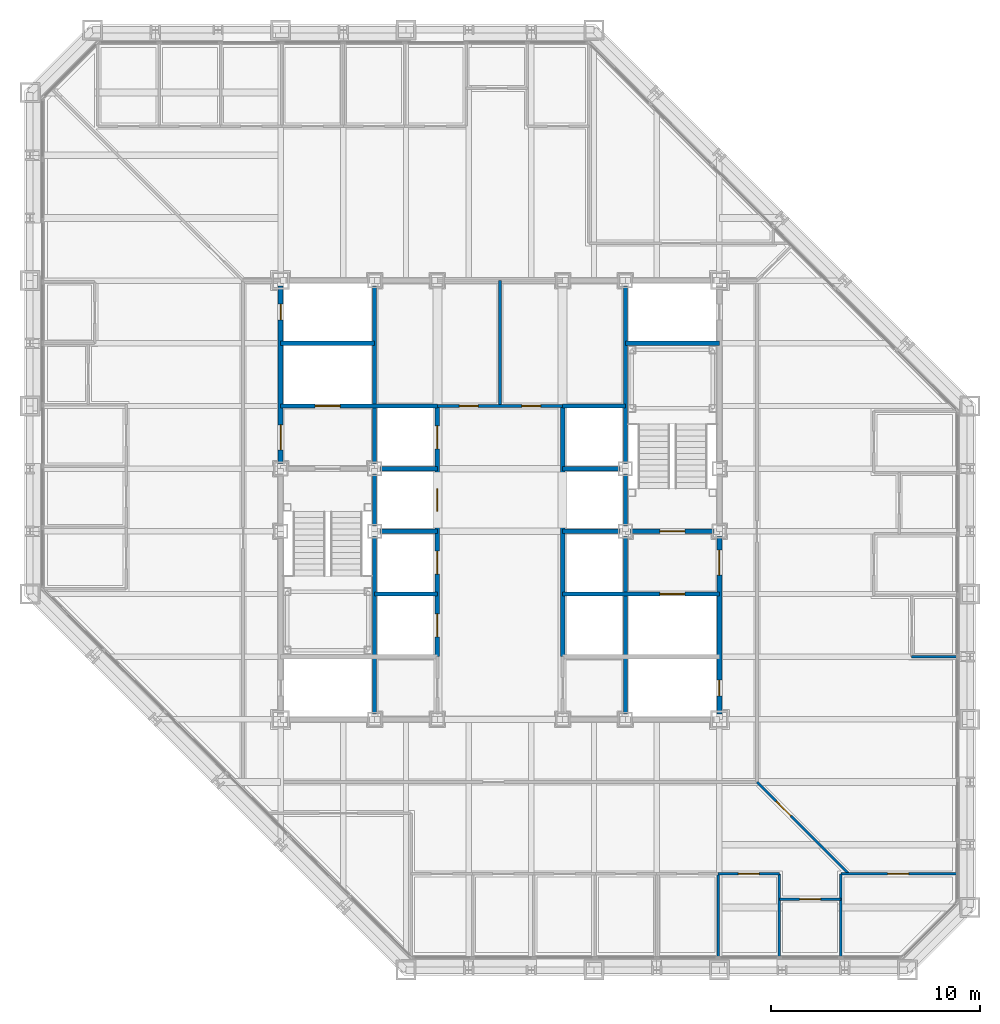
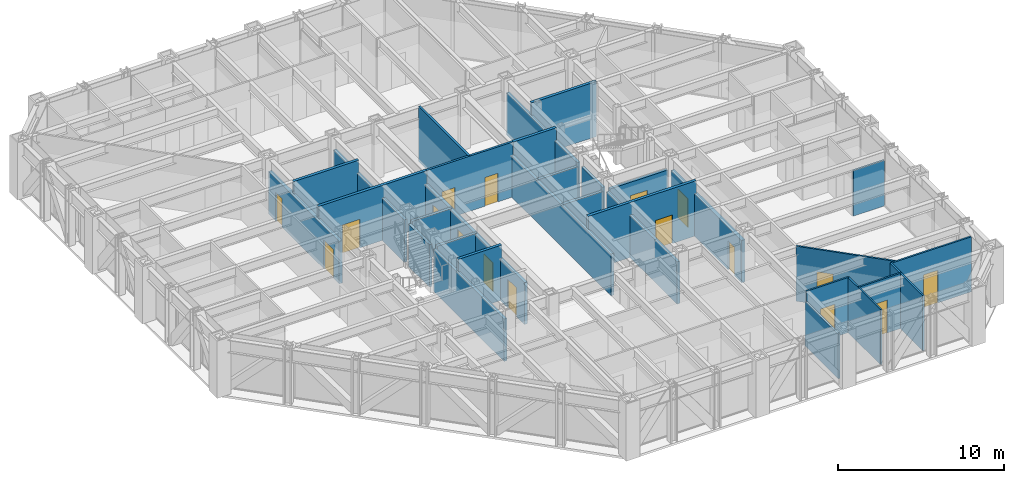
# One storey, part 11 of 17: 31 walls, 17 doors, 17 openings.
"""IFC4 building model written with IfcOpenShell, lengths in metres."""

import ifcopenshell
import ifcopenshell.guid

model = None  # the IFC model being written
_history = None  # IfcOwnerHistory: only IFC2X3 demands one
_inside = {}  # id of a spatial element -> (the spatial element, [elements in it])
_under = {}  # id of a project, library or spatial element -> (it, [spatial elements below it])
_declared = {}  # id of a project -> (the project, [libraries it declares])
_typed = {}  # id of a type object -> (the type object, [elements of that type])
_made_of = {}  # id of a material, layer set ... -> (it, [elements and type objects made of it])


def new_model(schema):
    """Start an empty IFC model of exactly this schema.

    Asked for "IFC4X3", IfcOpenShell would pick the latest addendum, in which some entities
    have other attributes; the version numbers below select the first issue.
    IFC2X3 requires an IfcOwnerHistory on every rooted entity: one is made here for all.
    """
    global model, _history
    if schema == "IFC4X3":
        model = ifcopenshell.file(schema_version=(4, 3, 0, 0))
    else:
        model = ifcopenshell.file(schema=schema)
    _inside.clear()
    _under.clear()
    _declared.clear()
    _typed.clear()
    _made_of.clear()
    _history = None
    if model.schema == "IFC2X3":
        org = make("IfcOrganization", Name="unknown")
        user = make(
            "IfcPersonAndOrganization",
            ThePerson=make("IfcPerson", FamilyName="unknown"),
            TheOrganization=org,
        )
        app = make(
            "IfcApplication",
            ApplicationDeveloper=org,
            Version="unknown",
            ApplicationFullName="unknown",
            ApplicationIdentifier="unknown",
        )
        _history = make(
            "IfcOwnerHistory",
            OwningUser=user,
            OwningApplication=app,
            ChangeAction="ADDED",
            CreationDate=0,
        )
    return model


def make(cls, **values):
    """One entity of the class cls with the attributes given. An attribute that is None is left unset."""
    return model.create_entity(
        cls, **{name: value for name, value in values.items() if value is not None}
    )


def rooted(cls, **values):
    """An entity with a GlobalId (a new one), such as an element, a storey or a relation."""
    return make(cls, GlobalId=ifcopenshell.guid.new(), OwnerHistory=_history, **values)


def si_unit(unit_type, name, prefix=None):
    """IfcSIUnit, for example si_unit("LENGTHUNIT", "METRE", prefix="MILLI")."""
    return make("IfcSIUnit", UnitType=unit_type, Prefix=prefix, Name=name)


def assignment(units):
    """IfcUnitAssignment: the units of a project."""
    return None if units is None else make("IfcUnitAssignment", Units=units)


def point(xyz):
    """IfcCartesianPoint."""
    return None if xyz is None else make("IfcCartesianPoint", Coordinates=xyz)


def direction(xyz):
    """IfcDirection."""
    return None if xyz is None else make("IfcDirection", DirectionRatios=xyz)


def frame(location, z_axis=None, x_axis=None):
    """IfcAxis2Placement3D, a coordinate frame: its origin and axes. An axis left out is left unset."""
    return make(
        "IfcAxis2Placement3D",
        Location=point(location),
        Axis=direction(z_axis),
        RefDirection=direction(x_axis),
    )


def frame_2d(location, x_axis=None):
    """IfcAxis2Placement2D, a coordinate frame in the plane: its origin and x axis."""
    return make(
        "IfcAxis2Placement2D", Location=point(location), RefDirection=direction(x_axis)
    )


def origin():
    """The frame at (0, 0, 0) with its axes left unset."""
    return frame((0.0, 0.0, 0.0))


def place(relative_to, where):
    """IfcLocalPlacement: puts the frame where relative to a parent placement (None: the world)."""
    return make(
        "IfcLocalPlacement", PlacementRelTo=relative_to, RelativePlacement=where
    )


def context(
    kind, dimensions, precision=None, world=None, true_north=None, identifier=None
):
    """IfcGeometricRepresentationContext, for example the 3D "Model" context."""
    return make(
        "IfcGeometricRepresentationContext",
        ContextIdentifier=identifier,
        ContextType=kind,
        CoordinateSpaceDimension=dimensions,
        Precision=precision,
        WorldCoordinateSystem=world,
        TrueNorth=true_north,
    )


def subcontext(parent, identifier, kind, view, scale=None):
    """IfcGeometricRepresentationSubContext, for example "Body" below "Model"."""
    return make(
        "IfcGeometricRepresentationSubContext",
        ContextIdentifier=identifier,
        ContextType=kind,
        ParentContext=parent,
        TargetScale=scale,
        TargetView=view,
    )


def project(units=None, contexts=None):
    """IfcProject with its units and contexts."""
    return rooted(
        "IfcProject",
        Name="project",
        RepresentationContexts=contexts,
        UnitsInContext=assignment(units),
    )


def spatial(cls, under=None, at=None, **own):
    """A site, building, storey or space (cls), placed at a placement, below another one or the project."""
    s = rooted(cls, ObjectPlacement=at, **own)
    if under is not None:
        _under.setdefault(under.id(), (under, []))[1].append(s)
    return s


def profile(cls, at=None, kind="AREA", **sizes):
    """A parametric profile (cls). Its sizes go by their IFC names, for example OverallWidth=200.0."""
    return make(cls, ProfileType=kind, Position=at, **sizes)


def rectangle(**sizes):
    """IfcRectangleProfileDef."""
    return profile("IfcRectangleProfileDef", **sizes)


def extrude(swept, where, along, depth):
    """IfcExtrudedAreaSolid: the profile swept, set in the frame where, extruded along a direction by depth."""
    return make(
        "IfcExtrudedAreaSolid",
        SweptArea=swept,
        Position=where,
        ExtrudedDirection=direction(along),
        Depth=depth,
    )


def shape(context_of_items, identifier, shape_type, items):
    """IfcShapeRepresentation: the items that make up one representation, for example the "Body"."""
    return make(
        "IfcShapeRepresentation",
        ContextOfItems=context_of_items,
        RepresentationIdentifier=identifier,
        RepresentationType=shape_type,
        Items=items,
    )


def material(Name=None, Category=None):
    """IfcMaterial."""
    return make("IfcMaterial", Name=Name, Category=Category)


def layer(
    of_material, thickness, ventilated=None, Name=None, Category=None, Priority=None
):
    """IfcMaterialLayer: one layer of a wall or slab, of a material (None: an air gap)."""
    return make(
        "IfcMaterialLayer",
        Material=of_material,
        LayerThickness=thickness,
        IsVentilated=ventilated,
        Name=Name,
        Category=Category,
        Priority=Priority,
    )


def layer_set(layers, Name=None):
    """IfcMaterialLayerSet."""
    return make("IfcMaterialLayerSet", MaterialLayers=layers, LayerSetName=Name)


def made_of(thing, what):
    """Note that an element or type object is made of a material, layer set ...; save() writes the relation."""
    if what is not None:
        _made_of.setdefault(what.id(), (what, []))[1].append(thing)
    return thing


def type_object(cls, material=None, **own):
    """A type object (cls), such as IfcWallType, which elements share."""
    return made_of(rooted(cls, **own), material)


def element(
    cls,
    number,
    at=None,
    inside=None,
    cuts=None,
    type_object=None,
    material=None,
    context=None,
    identifier="Body",
    shape_type=None,
    held_by="IfcProductDefinitionShape",
    body=None,
    shapes=None,
    **own,
):
    """One element of the class cls, such as IfcWall. Its Tag is "e" and its number.

    at: its placement. inside: the storey or other place that contains it. cuts: it is an
    opening in that element (IfcRelVoidsElement). A single representation is given by context,
    identifier, shape_type and body (its items); several are given by shapes. held_by: the class
    of the entity that holds the representations. save() writes the other relations.
    """
    e = rooted(cls, Tag="e%d" % number, ObjectPlacement=at, **own)
    if body is not None:
        shapes = [shape(context, identifier, shape_type, body)]
    if shapes is not None:
        e.Representation = make(held_by, Representations=shapes)
    if inside is not None:
        _inside.setdefault(inside.id(), (inside, []))[1].append(e)
    if cuts is not None:
        rooted(
            "IfcRelVoidsElement", RelatingBuildingElement=cuts, RelatedOpeningElement=e
        )
    if type_object is not None:
        _typed.setdefault(type_object.id(), (type_object, []))[1].append(e)
    return made_of(e, material)


def fill(opening, filler):
    """IfcRelFillsElement: the door or window that sits in an opening."""
    return rooted(
        "IfcRelFillsElement",
        RelatingOpeningElement=opening,
        RelatedBuildingElement=filler,
    )


def aggregate(whole, parts):
    """IfcRelAggregates: a whole, such as a stair, and the parts it consists of."""
    return rooted("IfcRelAggregates", RelatingObject=whole, RelatedObjects=parts)


def save(model, path):
    """Write the relations noted so far, then the file.

    IfcRelAggregates (storeys below a building ...), IfcRelContainedInSpatialStructure (elements
    in a storey), IfcRelDefinesByType, IfcRelAssociatesMaterial and IfcRelDeclares: one each for
    every whole, place, type object, material and project.
    """
    for whole, parts in _under.values():
        aggregate(whole, parts)
    for where, things in _inside.values():
        rooted(
            "IfcRelContainedInSpatialStructure",
            RelatedElements=things,
            RelatingStructure=where,
        )
    for kind, things in _typed.values():
        rooted("IfcRelDefinesByType", RelatedObjects=things, RelatingType=kind)
    for what, things in _made_of.values():
        rooted("IfcRelAssociatesMaterial", RelatedObjects=things, RelatingMaterial=what)
    for by, libraries in _declared.values():
        rooted("IfcRelDeclares", RelatingContext=by, RelatedDefinitions=libraries)
    model.write(path)


model = new_model("IFC4")

# Units and contexts
model_context = context("Model", 3, precision=1e-05, world=origin(), true_north=direction((0.0, 1.0)))
body_context = subcontext(model_context, "Body", "Model", "MODEL_VIEW")
ifc_project = project(units=[si_unit("LENGTHUNIT", "METRE"), si_unit("AREAUNIT", "SQUARE_METRE"), si_unit("VOLUMEUNIT", "CUBIC_METRE"), si_unit("PLANEANGLEUNIT", "RADIAN"), si_unit("MASSUNIT", "GRAM", prefix="KILO")], contexts=[model_context])

# Site, building, storey
site_placement = place(None, origin())
site = spatial("IfcSite", under=ifc_project, at=site_placement, CompositionType="ELEMENT")
building_placement = place(site_placement, origin())
building = spatial("IfcBuilding", under=site, at=building_placement, Name="Chuquiago Exchange Tower", CompositionType="ELEMENT")
storey_placement = place(building_placement, frame((0.0, 0.0, 132.0)))
storey = spatial("IfcBuildingStorey", under=building, at=storey_placement, Name="L28", CompositionType="ELEMENT", Elevation=132.0)

# Wall, openings, doors
ifc_material_1 = material(Name="Concrete masonry, fully grouted", Category="masonry")
ifc_layer_1 = layer(ifc_material_1, 0.25)
ifc_layer_set_1 = layer_set([ifc_layer_1], Name="W1 core wall 250")
wall_type_1 = type_object("IfcWallType", Name="W1 core wall 250", PredefinedType="SOLIDWALL", material=ifc_layer_set_1)
wall_1_placement = place(storey_placement, frame((12.0, 24.25, 0.0), z_axis=(0.0, 0.0, 1.0), x_axis=(0.0, 1.0, 0.0)))
wall_1 = element("IfcWall", 1, at=wall_1_placement, inside=storey, type_object=wall_type_1, Name="CW-L28-00-2", PredefinedType="SOLIDWALL", context=body_context, shape_type="SweptSolid", body=[
    extrude(rectangle(XDim=8.5, YDim=0.25, at=frame_2d((4.25, 0.0))), origin(), (0.0, 0.0, 1.0), 3.11279296875),
])
opening_1_placement = place(wall_1_placement, frame((0.64990234375, 0.0, 0.0)))
opening_1 = element("IfcOpeningElement", 2, at=opening_1_placement, cuts=wall_1, Name="Opening L28-002", PredefinedType="OPENING", context=body_context, shape_type="SweptSolid", body=[
    extrude(rectangle(XDim=1.199951171875, YDim=2.10009765625, at=frame_2d((0.60009765625, 1.050048828125))), frame((0.0, 0.135009765625, 0.0), z_axis=(0.0, -1.0, 0.0), x_axis=(1.0, 0.0, 0.0)), (0.0, 0.0, 1.0), 0.27001953125),
])
opening_2_placement = place(wall_1_placement, frame((6.875, 0.0, 0.0)))
opening_2 = element("IfcOpeningElement", 3, at=opening_2_placement, cuts=wall_1, Name="Opening L28-008", PredefinedType="OPENING", context=body_context, shape_type="SweptSolid", body=[
    extrude(rectangle(XDim=0.75, YDim=2.10009765625, at=frame_2d((0.375, 1.050048828125))), frame((0.0, 0.135009765625, 0.0), z_axis=(0.0, -1.0, 0.0), x_axis=(1.0, 0.0, 0.0)), (0.0, 0.0, 1.0), 0.27001953125),
])
ifc_material_2 = material(Name="Steel door, painted", Category="steel")
door_type_1 = type_object("IfcDoorType", Name="D5 firefighting lobby door 1200x2100", OperationType="SINGLE_SWING_LEFT", PredefinedType="DOOR", material=ifc_material_2)
door_1_placement = place(opening_1_placement, frame((1.199951171875, 0.0, 0.0), z_axis=(0.0, 0.0, 1.0), x_axis=(-1.0, 0.0, 0.0)))
door_1 = element("IfcDoor", 4, at=door_1_placement, inside=storey, type_object=door_type_1, Name="Firefighting lobby 1 door", OperationType="SINGLE_SWING_RIGHT", OverallHeight=2.10009765625, OverallWidth=1.199951171875, PredefinedType="DOOR", context=body_context, shape_type="SweptSolid", body=[
    extrude(rectangle(XDim=1.199951171875, YDim=2.10009765625, at=frame_2d((0.60009765625, 1.050048828125))), frame((0.0, 0.02490234375, 0.0), z_axis=(0.0, -1.0, 0.0), x_axis=(1.0, 0.0, 0.0)), (0.0, 0.0, 1.0), 0.050048828125),
])
fill(opening_1, door_1)
ifc_material_3 = material(Name="Steel door, painted", Category="steel")
door_type_2 = type_object("IfcDoorType", Name="D6 riser access door 750x2100", OperationType="SINGLE_SWING_LEFT", PredefinedType="DOOR", material=ifc_material_3)
door_2_placement = place(opening_2_placement, frame((0.75, 0.0, 0.0), z_axis=(0.0, 0.0, 1.0), x_axis=(-1.0, 0.0, 0.0)))
door_2 = element("IfcDoor", 5, at=door_2_placement, inside=storey, type_object=door_type_2, Name="Riser RW2 door", OperationType="SINGLE_SWING_LEFT", OverallHeight=2.10009765625, OverallWidth=0.75, PredefinedType="DOOR", context=body_context, shape_type="SweptSolid", body=[
    extrude(rectangle(XDim=0.75, YDim=2.10009765625, at=frame_2d((0.375, 1.050048828125))), frame((0.0, 0.02490234375, 0.0), z_axis=(0.0, -1.0, 0.0), x_axis=(1.0, 0.0, 0.0)), (0.0, 0.0, 1.0), 0.050048828125),
])
fill(opening_2, door_2)

wall_2_placement = place(storey_placement, frame((33.0, 12.25, 0.0), z_axis=(0.0, 0.0, 1.0), x_axis=(0.0, 1.0, 0.0)))
wall_2 = element("IfcWall", 6, at=wall_2_placement, inside=storey, type_object=wall_type_1, Name="CW-L28-25-0", PredefinedType="SOLIDWALL", context=body_context, shape_type="SweptSolid", body=[
    extrude(rectangle(XDim=8.5, YDim=0.25, at=frame_2d((4.25, 0.0))), origin(), (0.0, 0.0, 1.0), 3.11279296875),
])
opening_3_placement = place(wall_2_placement, frame((6.64990234375, 0.0, 0.0)))
opening_3 = element("IfcOpeningElement", 7, at=opening_3_placement, cuts=wall_2, Name="Opening L28-004", PredefinedType="OPENING", context=body_context, shape_type="SweptSolid", body=[
    extrude(rectangle(XDim=1.199951171875, YDim=2.10009765625, at=frame_2d((0.60009765625, 1.050048828125))), frame((0.0, 0.135009765625, 0.0), z_axis=(0.0, -1.0, 0.0), x_axis=(1.0, 0.0, 0.0)), (0.0, 0.0, 1.0), 0.27001953125),
])
opening_4_placement = place(wall_2_placement, frame((0.875, 0.0, 0.0)))
opening_4 = element("IfcOpeningElement", 8, at=opening_4_placement, cuts=wall_2, Name="Opening L28-009", PredefinedType="OPENING", context=body_context, shape_type="SweptSolid", body=[
    extrude(rectangle(XDim=0.75, YDim=2.10009765625, at=frame_2d((0.375, 1.050048828125))), frame((0.0, 0.135009765625, 0.0), z_axis=(0.0, -1.0, 0.0), x_axis=(1.0, 0.0, 0.0)), (0.0, 0.0, 1.0), 0.27001953125),
])
door_3_placement = place(opening_3_placement, origin())
door_3 = element("IfcDoor", 9, at=door_3_placement, inside=storey, type_object=door_type_1, Name="Firefighting lobby 2 door", OperationType="SINGLE_SWING_RIGHT", OverallHeight=2.10009765625, OverallWidth=1.199951171875, PredefinedType="DOOR", context=body_context, shape_type="SweptSolid", body=[
    extrude(rectangle(XDim=1.199951171875, YDim=2.10009765625, at=frame_2d((0.60009765625, 1.050048828125))), frame((0.0, 0.02490234375, 0.0), z_axis=(0.0, -1.0, 0.0), x_axis=(1.0, 0.0, 0.0)), (0.0, 0.0, 1.0), 0.050048828125),
])
fill(opening_3, door_3)
door_4_placement = place(opening_4_placement, origin())
door_4 = element("IfcDoor", 10, at=door_4_placement, inside=storey, type_object=door_type_2, Name="Riser RE1 door", OperationType="SINGLE_SWING_LEFT", OverallHeight=2.10009765625, OverallWidth=0.75, PredefinedType="DOOR", context=body_context, shape_type="SweptSolid", body=[
    extrude(rectangle(XDim=0.75, YDim=2.10009765625, at=frame_2d((0.375, 1.050048828125))), frame((0.0, 0.02490234375, 0.0), z_axis=(0.0, -1.0, 0.0), x_axis=(1.0, 0.0, 0.0)), (0.0, 0.0, 1.0), 0.050048828125),
])
fill(opening_4, door_4)

# Walls
ifc_material_4 = material(Name="Concrete masonry, fully grouted", Category="masonry")
ifc_layer_2 = layer(ifc_material_4, 0.199951171875)
ifc_layer_set_2 = layer_set([ifc_layer_2], Name="W2 shaft wall 200")
wall_type_2 = type_object("IfcWallType", Name="W2 shaft wall 200", PredefinedType="SOLIDWALL", material=ifc_layer_set_2)
for number, where, z_axis, x_axis, name in (
    (11, (16.75, 24.0, 0.0), (0.0, 0.0, 1.0), (1.0, 0.0, 0.0), "CW-L28-05-1"),
    (12, (25.5, 24.0, 0.0), (0.0, 0.0, 1.0), (1.0, 0.0, 0.0), "CW-L28-06-0"),
):
    element("IfcWall", number, at=place(storey_placement, frame(where, z_axis=z_axis, x_axis=x_axis)), inside=storey, type_object=wall_type_2, Name=name, PredefinedType="SOLIDWALL", context=body_context, shape_type="SweptSolid", body=[
        extrude(rectangle(XDim=2.75, YDim=0.199951171875, at=frame_2d((1.375, 0.0))), origin(), (0.0, 0.0, 1.0), 3.090087890625),
    ])

# Wall, opening, door
wall_3_placement = place(storey_placement, frame((12.0, 27.0, 0.0), z_axis=(0.0, 0.0, 1.0), x_axis=(1.0, 0.0, 0.0)))
wall_3 = element("IfcWall", 13, at=wall_3_placement, inside=storey, type_object=wall_type_2, Name="CW-L28-07-0", PredefinedType="SOLIDWALL", context=body_context, shape_type="SweptSolid", body=[
    extrude(rectangle(XDim=7.5, YDim=0.199951171875, at=frame_2d((3.75, 0.0))), origin(), (0.0, 0.0, 1.0), 4.0400390625),
])
opening_5_placement = place(wall_3_placement, frame((1.64990234375, 0.0, 0.0)))
opening_5 = element("IfcOpeningElement", 14, at=opening_5_placement, cuts=wall_3, Name="Opening L28-005", PredefinedType="OPENING", context=body_context, shape_type="SweptSolid", body=[
    extrude(rectangle(XDim=1.199951171875, YDim=2.10009765625, at=frame_2d((0.60009765625, 1.050048828125))), frame((0.0, 0.10986328125, 0.0), z_axis=(0.0, -1.0, 0.0), x_axis=(1.0, 0.0, 0.0)), (0.0, 0.0, 1.0), 0.219970703125),
])
ifc_material_5 = material(Name="Stainless steel lift landing door", Category="steel")
door_type_3 = type_object("IfcDoorType", Name="LD2 firefighting lift landing door 1200x2100", OperationType="DOUBLE_DOOR_SLIDING", PredefinedType="DOOR", material=ifc_material_5)
door_5_placement = place(opening_5_placement, origin())
door_5 = element("IfcDoor", 15, at=door_5_placement, inside=storey, type_object=door_type_3, Name="Firefighting lift FL1 landing door", OperationType="DOUBLE_DOOR_SLIDING", OverallHeight=2.10009765625, OverallWidth=1.199951171875, PredefinedType="DOOR", context=body_context, shape_type="SweptSolid", body=[
    extrude(rectangle(XDim=1.199951171875, YDim=2.10009765625, at=frame_2d((0.60009765625, 1.050048828125))), frame((0.0, 0.02490234375, 0.0), z_axis=(0.0, -1.0, 0.0), x_axis=(1.0, 0.0, 0.0)), (0.0, 0.0, 1.0), 0.050048828125),
])
fill(opening_5, door_5)

# Walls
wall_4_placement = place(storey_placement, frame((25.5, 27.0, 0.0), z_axis=(0.0, 0.0, 1.0), x_axis=(1.0, 0.0, 0.0)))
element("IfcWall", 16, at=wall_4_placement, inside=storey, type_object=wall_type_2, Name="CW-L28-08-0", PredefinedType="SOLIDWALL", context=body_context, shape_type="SweptSolid", body=[
    extrude(rectangle(XDim=3.0, YDim=0.199951171875, at=frame_2d((1.5, 0.0))), origin(), (0.0, 0.0, 1.0), 4.0400390625),
])
for number, where, z_axis, x_axis, name in (
    (17, (12.0, 30.0, 0.0), (0.0, 0.0, 1.0), (1.0, 0.0, 0.0), "CW-L28-09-0"),
    (18, (28.5, 30.0, 0.0), (0.0, 0.0, 1.0), (1.0, 0.0, 0.0), "CW-L28-10-0"),
):
    element("IfcWall", number, at=place(storey_placement, frame(where, z_axis=z_axis, x_axis=x_axis)), inside=storey, type_object=wall_type_2, Name=name, PredefinedType="SOLIDWALL", context=body_context, shape_type="SweptSolid", body=[
        extrude(rectangle(XDim=4.5, YDim=0.199951171875, at=frame_2d((2.25, 0.0))), origin(), (0.0, 0.0, 1.0), 4.0400390625),
    ])
wall_5_placement = place(storey_placement, frame((16.5, 12.25, 0.0), z_axis=(0.0, 0.0, 1.0), x_axis=(0.0, 1.0, 0.0)))
element("IfcWall", 19, at=wall_5_placement, inside=storey, type_object=wall_type_2, Name="CW-L28-13-0", PredefinedType="SOLIDWALL", context=body_context, shape_type="SweptSolid", body=[
    extrude(rectangle(XDim=8.5, YDim=0.199951171875, at=frame_2d((4.25, 0.0))), origin(), (0.0, 0.0, 1.0), 3.11279296875),
])
wall_6_placement = place(storey_placement, frame((16.5, 21.25, 0.0), z_axis=(0.0, 0.0, 1.0), x_axis=(0.0, 1.0, 0.0)))
element("IfcWall", 20, at=wall_6_placement, inside=storey, type_object=wall_type_2, Name="CW-L28-13-1", PredefinedType="SOLIDWALL", context=body_context, shape_type="SweptSolid", body=[
    extrude(rectangle(XDim=2.5, YDim=0.199951171875, at=frame_2d((1.25, 0.0))), origin(), (0.0, 0.0, 1.0), 3.11279296875),
])
wall_7_placement = place(storey_placement, frame((16.5, 24.25, 0.0), z_axis=(0.0, 0.0, 1.0), x_axis=(0.0, 1.0, 0.0)))
element("IfcWall", 21, at=wall_7_placement, inside=storey, type_object=wall_type_2, Name="CW-L28-13-2", PredefinedType="SOLIDWALL", context=body_context, shape_type="SweptSolid", body=[
    extrude(rectangle(XDim=8.5, YDim=0.199951171875, at=frame_2d((4.25, 0.0))), origin(), (0.0, 0.0, 1.0), 3.11279296875),
])
wall_8_placement = place(storey_placement, frame((16.5, 18.0, 0.0), z_axis=(0.0, 0.0, 1.0), x_axis=(1.0, 0.0, 0.0)))
element("IfcWall", 22, at=wall_8_placement, inside=storey, type_object=wall_type_2, Name="CW-L28-14-0", PredefinedType="SOLIDWALL", context=body_context, shape_type="SweptSolid", body=[
    extrude(rectangle(XDim=3.0, YDim=0.199951171875, at=frame_2d((1.5, 0.0))), origin(), (0.0, 0.0, 1.0), 4.0400390625),
])

# Wall, opening, door
wall_9_placement = place(storey_placement, frame((25.5, 18.0, 0.0), z_axis=(0.0, 0.0, 1.0), x_axis=(1.0, 0.0, 0.0)))
wall_9 = element("IfcWall", 23, at=wall_9_placement, inside=storey, type_object=wall_type_2, Name="CW-L28-15-0", PredefinedType="SOLIDWALL", context=body_context, shape_type="SweptSolid", body=[
    extrude(rectangle(XDim=7.5, YDim=0.199951171875, at=frame_2d((3.75, 0.0))), origin(), (0.0, 0.0, 1.0), 4.0400390625),
])
opening_6_placement = place(wall_9_placement, frame((4.64990234375, 0.0, 0.0)))
opening_6 = element("IfcOpeningElement", 24, at=opening_6_placement, cuts=wall_9, Name="Opening L28-006", PredefinedType="OPENING", context=body_context, shape_type="SweptSolid", body=[
    extrude(rectangle(XDim=1.199951171875, YDim=2.10009765625, at=frame_2d((0.60009765625, 1.050048828125))), frame((0.0, 0.10986328125, 0.0), z_axis=(0.0, -1.0, 0.0), x_axis=(1.0, 0.0, 0.0)), (0.0, 0.0, 1.0), 0.219970703125),
])
door_6_placement = place(opening_6_placement, origin())
door_6 = element("IfcDoor", 25, at=door_6_placement, inside=storey, type_object=door_type_3, Name="Firefighting lift FL2 landing door", OperationType="DOUBLE_DOOR_SLIDING", OverallHeight=2.10009765625, OverallWidth=1.199951171875, PredefinedType="DOOR", context=body_context, shape_type="SweptSolid", body=[
    extrude(rectangle(XDim=1.199951171875, YDim=2.10009765625, at=frame_2d((0.60009765625, 1.050048828125))), frame((0.0, 0.02490234375, 0.0), z_axis=(0.0, -1.0, 0.0), x_axis=(1.0, 0.0, 0.0)), (0.0, 0.0, 1.0), 0.050048828125),
])
fill(opening_6, door_6)

# Walls
for number, where, z_axis, x_axis, name in (
    (26, (16.75, 21.0, 0.0), (0.0, 0.0, 1.0), (1.0, 0.0, 0.0), "CW-L28-16-0"),
    (27, (25.5, 21.0, 0.0), (0.0, 0.0, 1.0), (1.0, 0.0, 0.0), "CW-L28-17-0"),
):
    element("IfcWall", number, at=place(storey_placement, frame(where, z_axis=z_axis, x_axis=x_axis)), inside=storey, type_object=wall_type_2, Name=name, PredefinedType="SOLIDWALL", context=body_context, shape_type="SweptSolid", body=[
        extrude(rectangle(XDim=2.75, YDim=0.199951171875, at=frame_2d((1.375, 0.0))), origin(), (0.0, 0.0, 1.0), 3.090087890625),
    ])

# Wall, opening, door
wall_10_placement = place(storey_placement, frame((28.75, 21.0, 0.0), z_axis=(0.0, 0.0, 1.0), x_axis=(1.0, 0.0, 0.0)))
wall_10 = element("IfcWall", 28, at=wall_10_placement, inside=storey, type_object=wall_type_2, Name="CW-L28-17-1", PredefinedType="SOLIDWALL", context=body_context, shape_type="SweptSolid", body=[
    extrude(rectangle(XDim=4.0, YDim=0.199951171875, at=frame_2d((2.0, 0.0))), origin(), (0.0, 0.0, 1.0), 3.090087890625),
])
opening_7_placement = place(wall_10_placement, frame((1.39990234375, 0.0, 0.0)))
opening_7 = element("IfcOpeningElement", 29, at=opening_7_placement, cuts=wall_10, Name="Opening L28-003", PredefinedType="OPENING", context=body_context, shape_type="SweptSolid", body=[
    extrude(rectangle(XDim=1.199951171875, YDim=2.10009765625, at=frame_2d((0.60009765625, 1.050048828125))), frame((0.0, 0.10986328125, 0.0), z_axis=(0.0, -1.0, 0.0), x_axis=(1.0, 0.0, 0.0)), (0.0, 0.0, 1.0), 0.219970703125),
])
ifc_material_6 = material(Name="Steel door, painted", Category="steel")
door_type_4 = type_object("IfcDoorType", Name="D4 stair door 1200x2100", OperationType="SINGLE_SWING_LEFT", PredefinedType="DOOR", material=ifc_material_6)
door_7_placement = place(opening_7_placement, origin())
door_7 = element("IfcDoor", 30, at=door_7_placement, inside=storey, type_object=door_type_4, Name="Stair ST2 door", OperationType="SINGLE_SWING_LEFT", OverallHeight=2.10009765625, OverallWidth=1.199951171875, PredefinedType="DOOR", context=body_context, shape_type="SweptSolid", body=[
    extrude(rectangle(XDim=1.199951171875, YDim=2.10009765625, at=frame_2d((0.60009765625, 1.050048828125))), frame((0.0, 0.02490234375, 0.0), z_axis=(0.0, -1.0, 0.0), x_axis=(1.0, 0.0, 0.0)), (0.0, 0.0, 1.0), 0.050048828125),
])
fill(opening_7, door_7)

# Wall, openings, doors
wall_11_placement = place(storey_placement, frame((19.5, 15.0, 0.0), z_axis=(0.0, 0.0, 1.0), x_axis=(0.0, 1.0, 0.0)))
wall_11 = element("IfcWall", 31, at=wall_11_placement, inside=storey, type_object=wall_type_2, Name="CW-L28-19-0", PredefinedType="SOLIDWALL", context=body_context, shape_type="SweptSolid", body=[
    extrude(rectangle(XDim=12.0, YDim=0.199951171875, at=frame_2d((6.0, 0.0))), origin(), (0.0, 0.0, 1.0), 3.064697265625),
])
opening_8_placement = place(wall_11_placement, frame((0.949951171875, 0.0, 0.0)))
opening_8 = element("IfcOpeningElement", 32, at=opening_8_placement, cuts=wall_11, Name="Opening L28-015", PredefinedType="OPENING", context=body_context, shape_type="SweptSolid", body=[
    extrude(rectangle(XDim=1.10009765625, YDim=2.10009765625, at=frame_2d((0.550048828125, 1.050048828125))), frame((0.0, 0.10986328125, 0.0), z_axis=(0.0, -1.0, 0.0), x_axis=(1.0, 0.0, 0.0)), (0.0, 0.0, 1.0), 0.219970703125),
])
opening_9_placement = place(wall_11_placement, frame((3.949951171875, 0.0, 0.0)))
opening_9 = element("IfcOpeningElement", 33, at=opening_9_placement, cuts=wall_11, Name="Opening L28-016", PredefinedType="OPENING", context=body_context, shape_type="SweptSolid", body=[
    extrude(rectangle(XDim=1.10009765625, YDim=2.10009765625, at=frame_2d((0.550048828125, 1.050048828125))), frame((0.0, 0.10986328125, 0.0), z_axis=(0.0, -1.0, 0.0), x_axis=(1.0, 0.0, 0.0)), (0.0, 0.0, 1.0), 0.219970703125),
])
opening_10_placement = place(wall_11_placement, frame((6.949951171875, 0.0, 0.0)))
opening_10 = element("IfcOpeningElement", 34, at=opening_10_placement, cuts=wall_11, Name="Opening L28-017", PredefinedType="OPENING", context=body_context, shape_type="SweptSolid", body=[
    extrude(rectangle(XDim=1.10009765625, YDim=2.10009765625, at=frame_2d((0.550048828125, 1.050048828125))), frame((0.0, 0.10986328125, 0.0), z_axis=(0.0, -1.0, 0.0), x_axis=(1.0, 0.0, 0.0)), (0.0, 0.0, 1.0), 0.219970703125),
])
opening_11_placement = place(wall_11_placement, frame((9.949951171875, 0.0, 0.0)))
opening_11 = element("IfcOpeningElement", 35, at=opening_11_placement, cuts=wall_11, Name="Opening L28-018", PredefinedType="OPENING", context=body_context, shape_type="SweptSolid", body=[
    extrude(rectangle(XDim=1.10009765625, YDim=2.10009765625, at=frame_2d((0.550048828125, 1.050048828125))), frame((0.0, 0.10986328125, 0.0), z_axis=(0.0, -1.0, 0.0), x_axis=(1.0, 0.0, 0.0)), (0.0, 0.0, 1.0), 0.219970703125),
])
ifc_material_7 = material(Name="Stainless steel lift landing door", Category="steel")
door_type_5 = type_object("IfcDoorType", Name="LD1 lift landing door 1100x2100", OperationType="DOUBLE_DOOR_SLIDING", PredefinedType="DOOR", material=ifc_material_7)
door_8_placement = place(opening_8_placement, origin())
door_8 = element("IfcDoor", 36, at=door_8_placement, inside=storey, type_object=door_type_5, Name="Lift LB1 landing door", OperationType="DOUBLE_DOOR_SLIDING", OverallHeight=2.10009765625, OverallWidth=1.10009765625, PredefinedType="DOOR", context=body_context, shape_type="SweptSolid", body=[
    extrude(rectangle(XDim=1.10009765625, YDim=2.10009765625, at=frame_2d((0.550048828125, 1.050048828125))), frame((0.0, 0.02490234375, 0.0), z_axis=(0.0, -1.0, 0.0), x_axis=(1.0, 0.0, 0.0)), (0.0, 0.0, 1.0), 0.050048828125),
])
fill(opening_8, door_8)
door_9_placement = place(opening_9_placement, origin())
door_9 = element("IfcDoor", 37, at=door_9_placement, inside=storey, type_object=door_type_5, Name="Lift LB2 landing door", OperationType="DOUBLE_DOOR_SLIDING", OverallHeight=2.10009765625, OverallWidth=1.10009765625, PredefinedType="DOOR", context=body_context, shape_type="SweptSolid", body=[
    extrude(rectangle(XDim=1.10009765625, YDim=2.10009765625, at=frame_2d((0.550048828125, 1.050048828125))), frame((0.0, 0.02490234375, 0.0), z_axis=(0.0, -1.0, 0.0), x_axis=(1.0, 0.0, 0.0)), (0.0, 0.0, 1.0), 0.050048828125),
])
fill(opening_9, door_9)
door_10_placement = place(opening_10_placement, origin())
door_10 = element("IfcDoor", 38, at=door_10_placement, inside=storey, type_object=door_type_5, Name="Lift LB3 landing door", OperationType="DOUBLE_DOOR_SLIDING", OverallHeight=2.10009765625, OverallWidth=1.10009765625, PredefinedType="DOOR", context=body_context, shape_type="SweptSolid", body=[
    extrude(rectangle(XDim=1.10009765625, YDim=2.10009765625, at=frame_2d((0.550048828125, 1.050048828125))), frame((0.0, 0.02490234375, 0.0), z_axis=(0.0, -1.0, 0.0), x_axis=(1.0, 0.0, 0.0)), (0.0, 0.0, 1.0), 0.050048828125),
])
fill(opening_10, door_10)
door_11_placement = place(opening_11_placement, origin())
door_11 = element("IfcDoor", 39, at=door_11_placement, inside=storey, type_object=door_type_5, Name="Lift LB4 landing door", OperationType="DOUBLE_DOOR_SLIDING", OverallHeight=2.10009765625, OverallWidth=1.10009765625, PredefinedType="DOOR", context=body_context, shape_type="SweptSolid", body=[
    extrude(rectangle(XDim=1.10009765625, YDim=2.10009765625, at=frame_2d((0.550048828125, 1.050048828125))), frame((0.0, 0.02490234375, 0.0), z_axis=(0.0, -1.0, 0.0), x_axis=(1.0, 0.0, 0.0)), (0.0, 0.0, 1.0), 0.050048828125),
])
fill(opening_11, door_11)

# Walls
wall_12_placement = place(storey_placement, frame((25.5, 15.0, 0.0), z_axis=(0.0, 0.0, 1.0), x_axis=(0.0, 1.0, 0.0)))
element("IfcWall", 40, at=wall_12_placement, inside=storey, type_object=wall_type_2, Name="CW-L28-22-0", PredefinedType="SOLIDWALL", context=body_context, shape_type="SweptSolid", body=[
    extrude(rectangle(XDim=12.0, YDim=0.199951171875, at=frame_2d((6.0, 0.0))), origin(), (0.0, 0.0, 1.0), 3.064697265625),
])
wall_13_placement = place(storey_placement, frame((28.5, 12.25, 0.0), z_axis=(0.0, 0.0, 1.0), x_axis=(0.0, 1.0, 0.0)))
element("IfcWall", 41, at=wall_13_placement, inside=storey, type_object=wall_type_2, Name="CW-L28-24-0", PredefinedType="SOLIDWALL", context=body_context, shape_type="SweptSolid", body=[
    extrude(rectangle(XDim=8.5, YDim=0.199951171875, at=frame_2d((4.25, 0.0))), origin(), (0.0, 0.0, 1.0), 3.11279296875),
])
wall_14_placement = place(storey_placement, frame((28.5, 21.25, 0.0), z_axis=(0.0, 0.0, 1.0), x_axis=(0.0, 1.0, 0.0)))
element("IfcWall", 42, at=wall_14_placement, inside=storey, type_object=wall_type_2, Name="CW-L28-24-1", PredefinedType="SOLIDWALL", context=body_context, shape_type="SweptSolid", body=[
    extrude(rectangle(XDim=2.5, YDim=0.199951171875, at=frame_2d((1.25, 0.0))), origin(), (0.0, 0.0, 1.0), 3.11279296875),
])
wall_15_placement = place(storey_placement, frame((28.5, 24.25, 0.0), z_axis=(0.0, 0.0, 1.0), x_axis=(0.0, 1.0, 0.0)))
element("IfcWall", 43, at=wall_15_placement, inside=storey, type_object=wall_type_2, Name="CW-L28-24-2", PredefinedType="SOLIDWALL", context=body_context, shape_type="SweptSolid", body=[
    extrude(rectangle(XDim=8.5, YDim=0.199951171875, at=frame_2d((4.25, 0.0))), origin(), (0.0, 0.0, 1.0), 3.11279296875),
])

# Wall, openings, doors
ifc_material_8 = material(Name="Gypsum board on steel studs", Category="steel")
ifc_layer_3 = layer(ifc_material_8, 0.14990234375)
ifc_layer_set_3 = layer_set([ifc_layer_3], Name="W3 core partition 150")
wall_type_3 = type_object("IfcWallType", Name="W3 core partition 150", PredefinedType="PARTITIONING", material=ifc_layer_set_3)
wall_16_placement = place(storey_placement, frame((19.5, 27.0, 0.0), z_axis=(0.0, 0.0, 1.0), x_axis=(1.0, 0.0, 0.0)))
wall_16 = element("IfcWall", 44, at=wall_16_placement, inside=storey, type_object=wall_type_3, Name="CW-L28-TF", PredefinedType="PARTITIONING", context=body_context, shape_type="SweptSolid", body=[
    extrude(rectangle(XDim=6.0, YDim=0.14990234375, at=frame_2d((3.0, 0.0))), origin(), (0.0, 0.0, 1.0), 4.0400390625),
])
opening_12_placement = place(wall_16_placement, frame((1.050048828125, 0.0, 0.0)))
opening_12 = element("IfcOpeningElement", 45, at=opening_12_placement, cuts=wall_16, Name="Opening L28-011", PredefinedType="OPENING", context=body_context, shape_type="SweptSolid", body=[
    extrude(rectangle(XDim=0.89990234375, YDim=2.10009765625, at=frame_2d((0.449951171875, 1.050048828125))), frame((0.0, 0.0849609375, 0.0), z_axis=(0.0, -1.0, 0.0), x_axis=(1.0, 0.0, 0.0)), (0.0, 0.0, 1.0), 0.169921875),
])
opening_13_placement = place(wall_16_placement, frame((4.050048828125, 0.0, 0.0)))
opening_13 = element("IfcOpeningElement", 46, at=opening_13_placement, cuts=wall_16, Name="Opening L28-012", PredefinedType="OPENING", context=body_context, shape_type="SweptSolid", body=[
    extrude(rectangle(XDim=0.89990234375, YDim=2.10009765625, at=frame_2d((0.449951171875, 1.050048828125))), frame((0.0, 0.0849609375, 0.0), z_axis=(0.0, -1.0, 0.0), x_axis=(1.0, 0.0, 0.0)), (0.0, 0.0, 1.0), 0.169921875),
])
ifc_material_9 = material(Name="Timber door, laminate faced", Category="wood")
door_type_6 = type_object("IfcDoorType", Name="D7 toilet door 900x2100", OperationType="SINGLE_SWING_LEFT", PredefinedType="DOOR", material=ifc_material_9)
door_12_placement = place(opening_12_placement, origin())
door_12 = element("IfcDoor", 47, at=door_12_placement, inside=storey, type_object=door_type_6, Name="Male WC door", OperationType="SINGLE_SWING_RIGHT", OverallHeight=2.10009765625, OverallWidth=0.89990234375, PredefinedType="DOOR", context=body_context, shape_type="SweptSolid", body=[
    extrude(rectangle(XDim=0.89990234375, YDim=2.10009765625, at=frame_2d((0.449951171875, 1.050048828125))), frame((0.0, 0.02490234375, 0.0), z_axis=(0.0, -1.0, 0.0), x_axis=(1.0, 0.0, 0.0)), (0.0, 0.0, 1.0), 0.050048828125),
])
fill(opening_12, door_12)
door_13_placement = place(opening_13_placement, origin())
door_13 = element("IfcDoor", 48, at=door_13_placement, inside=storey, type_object=door_type_6, Name="Female WC door", OperationType="SINGLE_SWING_LEFT", OverallHeight=2.10009765625, OverallWidth=0.89990234375, PredefinedType="DOOR", context=body_context, shape_type="SweptSolid", body=[
    extrude(rectangle(XDim=0.89990234375, YDim=2.10009765625, at=frame_2d((0.449951171875, 1.050048828125))), frame((0.0, 0.02490234375, 0.0), z_axis=(0.0, -1.0, 0.0), x_axis=(1.0, 0.0, 0.0)), (0.0, 0.0, 1.0), 0.050048828125),
])
fill(opening_13, door_13)

# Walls
wall_17_placement = place(storey_placement, frame((22.5, 27.0, 0.0), z_axis=(0.0, 0.0, 1.0), x_axis=(0.0, 1.0, 0.0)))
element("IfcWall", 49, at=wall_17_placement, inside=storey, type_object=wall_type_3, Name="CW-L28-TM", PredefinedType="PARTITIONING", context=body_context, shape_type="SweptSolid", body=[
    extrude(rectangle(XDim=6.0, YDim=0.14990234375, at=frame_2d((3.0, 0.0))), origin(), (0.0, 0.0, 1.0), 4.0400390625),
])
ifc_material_10 = material(Name="Gypsum board on steel studs", Category="steel")
ifc_layer_4 = layer(ifc_material_10, 0.1201171875)
ifc_layer_set_4 = layer_set([ifc_layer_4], Name="W4 partition 120")
wall_type_4 = type_object("IfcWallType", Name="W4 partition 120", PredefinedType="PARTITIONING", material=ifc_layer_set_4)
wall_18_placement = place(storey_placement, frame((32.93798828125, 0.652587890625, 0.0), z_axis=(0.0, 0.0, 1.0), x_axis=(0.0, 1.0, 0.0)))
element("IfcWall", 50, at=wall_18_placement, inside=storey, type_object=wall_type_4, Name="PW-L28-S03294", PredefinedType="PARTITIONING", context=body_context, shape_type="SweptSolid", body=[
    extrude(rectangle(XDim=3.947509765625, YDim=0.1201171875, at=frame_2d((1.9736328125, 0.0))), origin(), (0.0, 0.0, 1.0), 3.2705078125),
])
for number, where, z_axis, x_axis, name in (
    (51, (35.875732421875, 0.652587890625, 0.0), (0.0, 0.0, 1.0), (0.0, 1.0, 0.0), "PW-L28-S03588"),
    (52, (38.813720703125, 0.652587890625, 0.0), (0.0, 0.0, 1.0), (0.0, 1.0, 0.0), "PW-L28-S03881"),
):
    element("IfcWall", number, at=place(storey_placement, frame(where, z_axis=z_axis, x_axis=x_axis)), inside=storey, type_object=wall_type_4, Name=name, PredefinedType="PARTITIONING", context=body_context, shape_type="SweptSolid", body=[
        extrude(rectangle(XDim=3.947509765625, YDim=0.1201171875, at=frame_2d((1.9736328125, 0.0))), origin(), (0.0, 0.0, 1.0), 4.0400390625),
    ])

# Wall, opening, door
wall_19_placement = place(storey_placement, frame((32.93798828125, 4.60009765625, 0.0), z_axis=(0.0, 0.0, 1.0), x_axis=(1.0, 0.0, 0.0)))
wall_19 = element("IfcWall", 53, at=wall_19_placement, inside=storey, type_object=wall_type_4, Name="PW-L28-SF03294", PredefinedType="PARTITIONING", context=body_context, shape_type="SweptSolid", body=[
    extrude(rectangle(XDim=2.937744140625, YDim=0.1201171875, at=frame_2d((1.46875, 0.0))), origin(), (0.0, 0.0, 1.0), 4.0400390625),
])
opening_14_placement = place(wall_19_placement, frame((0.968994140625, 0.0, 0.0)))
opening_14 = element("IfcOpeningElement", 54, at=opening_14_placement, cuts=wall_19, Name="Opening L28-025", PredefinedType="OPENING", context=body_context, shape_type="SweptSolid", body=[
    extrude(rectangle(XDim=1.0, YDim=2.39990234375, at=frame_2d((0.5, 1.199951171875))), frame((0.0, 0.070068359375, 0.0), z_axis=(0.0, -1.0, 0.0), x_axis=(1.0, 0.0, 0.0)), (0.0, 0.0, 1.0), 0.14013671875),
])
ifc_material_11 = material(Name="Timber door, laminate faced", Category="wood")
door_type_7 = type_object("IfcDoorType", Name="D9 room door 1000x2400", OperationType="SINGLE_SWING_LEFT", PredefinedType="DOOR", material=ifc_material_11)
door_14_placement = place(opening_14_placement, frame((1.0, 0.0, 0.0), z_axis=(0.0, 0.0, 1.0), x_axis=(-1.0, 0.0, 0.0)))
door_14 = element("IfcDoor", 55, at=door_14_placement, inside=storey, type_object=door_type_7, Name="Office door", OperationType="SINGLE_SWING_RIGHT", OverallHeight=2.39990234375, OverallWidth=1.0, PredefinedType="DOOR", context=body_context, shape_type="SweptSolid", body=[
    extrude(rectangle(XDim=1.0, YDim=2.39990234375, at=frame_2d((0.5, 1.199951171875))), frame((0.0, 0.02490234375, 0.0), z_axis=(0.0, -1.0, 0.0), x_axis=(1.0, 0.0, 0.0)), (0.0, 0.0, 1.0), 0.050048828125),
])
fill(opening_14, door_14)

wall_20_placement = place(storey_placement, frame((35.875732421875, 3.39990234375, 0.0), z_axis=(0.0, 0.0, 1.0), x_axis=(1.0, 0.0, 0.0)))
wall_20 = element("IfcWall", 56, at=wall_20_placement, inside=storey, type_object=wall_type_4, Name="PW-L28-SF03588", PredefinedType="PARTITIONING", context=body_context, shape_type="SweptSolid", body=[
    extrude(rectangle(XDim=2.93798828125, YDim=0.1201171875, at=frame_2d((1.468994140625, 0.0))), origin(), (0.0, 0.0, 1.0), 4.0400390625),
])
opening_15_placement = place(wall_20_placement, frame((0.968994140625, 0.0, 0.0)))
opening_15 = element("IfcOpeningElement", 57, at=opening_15_placement, cuts=wall_20, Name="Opening L28-026", PredefinedType="OPENING", context=body_context, shape_type="SweptSolid", body=[
    extrude(rectangle(XDim=1.0, YDim=2.39990234375, at=frame_2d((0.5, 1.199951171875))), frame((0.0, 0.070068359375, 0.0), z_axis=(0.0, -1.0, 0.0), x_axis=(1.0, 0.0, 0.0)), (0.0, 0.0, 1.0), 0.14013671875),
])
door_15_placement = place(opening_15_placement, frame((1.0, 0.0, 0.0), z_axis=(0.0, 0.0, 1.0), x_axis=(-1.0, 0.0, 0.0)))
door_15 = element("IfcDoor", 58, at=door_15_placement, inside=storey, type_object=door_type_7, Name="Pantry door", OperationType="SINGLE_SWING_RIGHT", OverallHeight=2.39990234375, OverallWidth=1.0, PredefinedType="DOOR", context=body_context, shape_type="SweptSolid", body=[
    extrude(rectangle(XDim=1.0, YDim=2.39990234375, at=frame_2d((0.5, 1.199951171875))), frame((0.0, 0.02490234375, 0.0), z_axis=(0.0, -1.0, 0.0), x_axis=(1.0, 0.0, 0.0)), (0.0, 0.0, 1.0), 0.050048828125),
])
fill(opening_15, door_15)

wall_21_placement = place(storey_placement, frame((38.813720703125, 4.60009765625, 0.0), z_axis=(0.0, 0.0, 1.0), x_axis=(1.0, 0.0, 0.0)))
wall_21 = element("IfcWall", 59, at=wall_21_placement, inside=storey, type_object=wall_type_4, Name="PW-L28-SF03881", PredefinedType="PARTITIONING", context=body_context, shape_type="SweptSolid", body=[
    extrude(rectangle(XDim=5.55419921875, YDim=0.1201171875, at=frame_2d((2.777099609375, 0.0))), origin(), (0.0, 0.0, 1.0), 4.0400390625),
])
opening_16_placement = place(wall_21_placement, frame((2.2431640625, 0.0, 0.0)))
opening_16 = element("IfcOpeningElement", 60, at=opening_16_placement, cuts=wall_21, Name="Opening L28-027", PredefinedType="OPENING", context=body_context, shape_type="SweptSolid", body=[
    extrude(rectangle(XDim=1.0, YDim=2.39990234375, at=frame_2d((0.5, 1.199951171875))), frame((0.0, 0.070068359375, 0.0), z_axis=(0.0, -1.0, 0.0), x_axis=(1.0, 0.0, 0.0)), (0.0, 0.0, 1.0), 0.14013671875),
])
ifc_material_12 = material(Name="Timber frame door, full height glazed panel", Category="wood")
door_type_8 = type_object("IfcDoorType", Name="D14 glazed meeting room door 1000x2400", OperationType="SINGLE_SWING_LEFT", PredefinedType="DOOR", material=ifc_material_12)
door_16_placement = place(opening_16_placement, frame((1.0, 0.0, 0.0), z_axis=(0.0, 0.0, 1.0), x_axis=(-1.0, 0.0, 0.0)))
door_16 = element("IfcDoor", 61, at=door_16_placement, inside=storey, type_object=door_type_8, Name="Meeting room door", OperationType="SINGLE_SWING_RIGHT", OverallHeight=2.39990234375, OverallWidth=1.0, PredefinedType="DOOR", context=body_context, shape_type="SweptSolid", body=[
    extrude(rectangle(XDim=1.0, YDim=2.39990234375, at=frame_2d((0.5, 1.199951171875))), frame((0.0, 0.02490234375, 0.0), z_axis=(0.0, -1.0, 0.0), x_axis=(1.0, 0.0, 0.0)), (0.0, 0.0, 1.0), 0.050048828125),
])
fill(opening_16, door_16)

# Wall
wall_22_placement = place(storey_placement, frame((44.347412109375, 15.0, 0.0), z_axis=(0.0, 0.0, 1.0), x_axis=(-1.0, 0.0, 0.0)))
element("IfcWall", 62, at=wall_22_placement, inside=storey, type_object=wall_type_4, Name="PW-L28-E01500", PredefinedType="PARTITIONING", context=body_context, shape_type="SweptSolid", body=[
    extrude(rectangle(XDim=2.1474609375, YDim=0.1201171875, at=frame_2d((1.07373046875, 0.0))), origin(), (0.0, 0.0, 1.0), 3.356689453125),
])

# Wall, opening, door
wall_23_placement = place(storey_placement, frame((34.800048828125, 9.0, 0.0), z_axis=(0.0, 0.0, 1.0), x_axis=(0.707106781187, -0.707106781187, 0.0)))
wall_23 = element("IfcWall", 63, at=wall_23_placement, inside=storey, type_object=wall_type_4, Name="PW-L28-QSE", PredefinedType="PARTITIONING", context=body_context, shape_type="SweptSolid", body=[
    extrude(rectangle(XDim=6.223876953125, YDim=0.1201171875, at=frame_2d((3.11181640625, 0.0))), origin(), (0.0, 0.0, 1.0), 4.0400390625),
])
opening_17_placement = place(wall_23_placement, frame((1.300048828125, 0.0, 0.0)))
opening_17 = element("IfcOpeningElement", 64, at=opening_17_placement, cuts=wall_23, Name="Opening L28-051", PredefinedType="OPENING", context=body_context, shape_type="SweptSolid", body=[
    extrude(rectangle(XDim=1.0, YDim=2.39990234375, at=frame_2d((0.5, 1.199951171875))), frame((0.0, 0.070068359375, 0.0), z_axis=(0.0, -1.0, 0.0), x_axis=(1.0, 0.0, 0.0)), (0.0, 0.0, 1.0), 0.14013671875),
])
door_17_placement = place(opening_17_placement, origin())
door_17 = element("IfcDoor", 65, at=door_17_placement, inside=storey, type_object=door_type_7, Name="Team area door", OperationType="SINGLE_SWING_LEFT", OverallHeight=2.39990234375, OverallWidth=1.0, PredefinedType="DOOR", context=body_context, shape_type="SweptSolid", body=[
    extrude(rectangle(XDim=1.0, YDim=2.39990234375, at=frame_2d((0.5, 1.199951171875))), frame((0.0, 0.02490234375, 0.0), z_axis=(0.0, -1.0, 0.0), x_axis=(1.0, 0.0, 0.0)), (0.0, 0.0, 1.0), 0.050048828125),
])
fill(opening_17, door_17)

save(model, "model.ifc")
